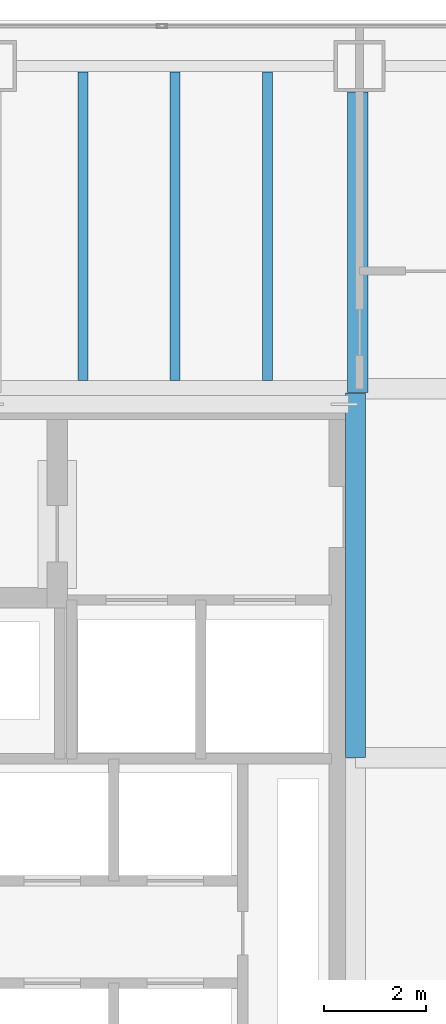
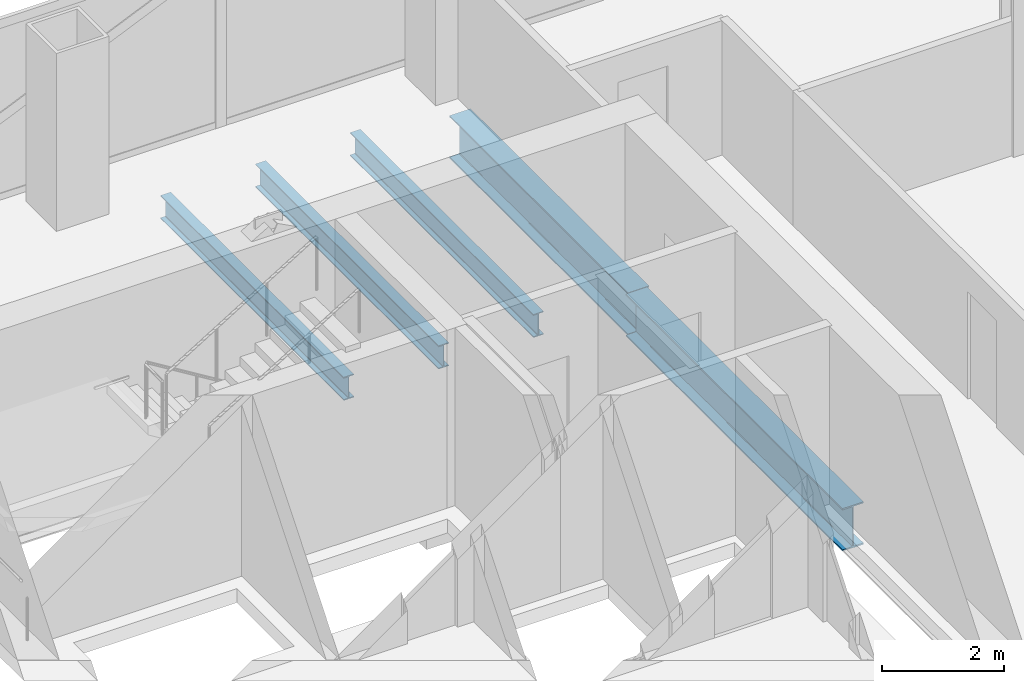
# One storey, part 15 of 23: 5 beams.
"""IFC4 building model written with IfcOpenShell, lengths in metres."""

from ifc_helpers import new_model, si_unit, direction, frame, origin, origin_2d, place, context, subcontext, project, spatial, i_section, extrude, material, material_profile, profile_set, type_object, element, save


model = new_model("IFC4")

# Units and contexts
model_context = context("Model", 3, precision=1e-05, world=origin(), true_north=direction((0.0, 1.0)))
body_context = subcontext(model_context, "Body", "Model", "MODEL_VIEW")
ifc_project = project(units=[si_unit("LENGTHUNIT", "METRE"), si_unit("AREAUNIT", "SQUARE_METRE"), si_unit("VOLUMEUNIT", "CUBIC_METRE"), si_unit("PLANEANGLEUNIT", "RADIAN"), si_unit("MASSUNIT", "GRAM", prefix="KILO")], contexts=[model_context])

# Site, building, storey
site_placement = place(None, origin())
site = spatial("IfcSite", under=ifc_project, at=site_placement, CompositionType="ELEMENT")
building_placement = place(site_placement, origin())
building = spatial("IfcBuilding", under=site, at=building_placement, Name="Cobrela Telecom Tower", CompositionType="ELEMENT")
storey_placement = place(building_placement, frame((0.0, 0.0, 65.800048828125)))
storey = spatial("IfcBuildingStorey", under=building, at=storey_placement, Name="L16", CompositionType="ELEMENT", Elevation=65.800048828125)

# Beams
ifc_material = material(Name="Steel ASTM A992 Grade 50", Category="steel")
ifc_material_profile_1 = material_profile(ifc_material, i_section(OverallWidth=0.39892578125, OverallDepth=0.85595703125, WebThickness=0.018310546875, FlangeThickness=0.029296875, FilletRadius=0.02001953125, at=origin_2d()), Name="W33X201")
ifc_profile_set_1 = profile_set([ifc_material_profile_1], Name="Steel ASTM A992 Grade 50")
beam_type_1 = type_object("IfcBeamType", Name="BM-GIRD-03", PredefinedType="USERDEFINED", material=ifc_profile_set_1)
beam_1_placement = place(storey_placement, frame((14.320068359375, 28.804931640625, -0.7080078125), z_axis=(0.0, 1.0, 0.0), x_axis=(-1.0, 0.0, 0.0)))
element("IfcBeam", 1, at=beam_1_placement, inside=storey, type_object=beam_type_1, Name="L16 Primary Girder Y38", ObjectType="GIRDER", PredefinedType="USERDEFINED", context=body_context, shape_type="SweptSolid", body=[
    extrude(i_section(OverallWidth=0.39892578125, OverallDepth=0.85595703125, WebThickness=0.018310546875, FlangeThickness=0.029296875, FilletRadius=0.02001953125, at=origin_2d()), origin(), (0.0, 0.0, 1.0), 7.110107421875),
])
beam_2_placement = place(storey_placement, frame((14.360107421875, 35.925048828125, -0.7080078125), z_axis=(0.0, 1.0, 0.0), x_axis=(-1.0, 0.0, 0.0)))
element("IfcBeam", 2, at=beam_2_placement, inside=storey, type_object=beam_type_1, Name="L16 Primary Girder Y39", ObjectType="GIRDER", PredefinedType="USERDEFINED", context=body_context, shape_type="SweptSolid", body=[
    extrude(i_section(OverallWidth=0.39892578125, OverallDepth=0.85595703125, WebThickness=0.018310546875, FlangeThickness=0.029296875, FilletRadius=0.02001953125, at=origin_2d()), origin(), (0.0, 0.0, 1.0), 5.869873046875),
])
ifc_material_profile_2 = material_profile(ifc_material, i_section(OverallWidth=0.193115234375, OverallDepth=0.467041015625, WebThickness=0.011474609375, FlangeThickness=0.01904296875, FilletRadius=0.012939453125, at=origin_2d()), Name="W18X65")
ifc_profile_set_2 = profile_set([ifc_material_profile_2], Name="Steel ASTM A992 Grade 50")
beam_type_2 = type_object("IfcBeamType", Name="BM-JOIST-03", PredefinedType="JOIST", material=ifc_profile_set_2)
for number, where, z_axis, x_axis, name in (
    (3, (9.0, 36.16455078125, -0.513427734375), (0.0, 1.0, 0.0), (-1.0, 0.0, 0.0), "L16 Secondary Composite Floor Beam J02"),
    (4, (10.800048828125, 36.16455078125, -0.513427734375), (0.0, 1.0, 0.0), (-1.0, 0.0, 0.0), "L16 Secondary Composite Floor Beam J04"),
    (5, (12.60009765625, 36.16455078125, -0.513427734375), (0.0, 1.0, 0.0), (-1.0, 0.0, 0.0), "L16 Secondary Composite Floor Beam J06"),
):
    element("IfcBeam", number, at=place(storey_placement, frame(where, z_axis=z_axis, x_axis=x_axis)), inside=storey, type_object=beam_type_2, Name=name, PredefinedType="JOIST", context=body_context, shape_type="SweptSolid", body=[
        extrude(i_section(OverallWidth=0.193115234375, OverallDepth=0.467041015625, WebThickness=0.011474609375, FlangeThickness=0.01904296875, FilletRadius=0.012939453125, at=origin_2d()), origin(), (0.0, 0.0, 1.0), 6.02392578125),
    ])

save(model, "model.ifc")
